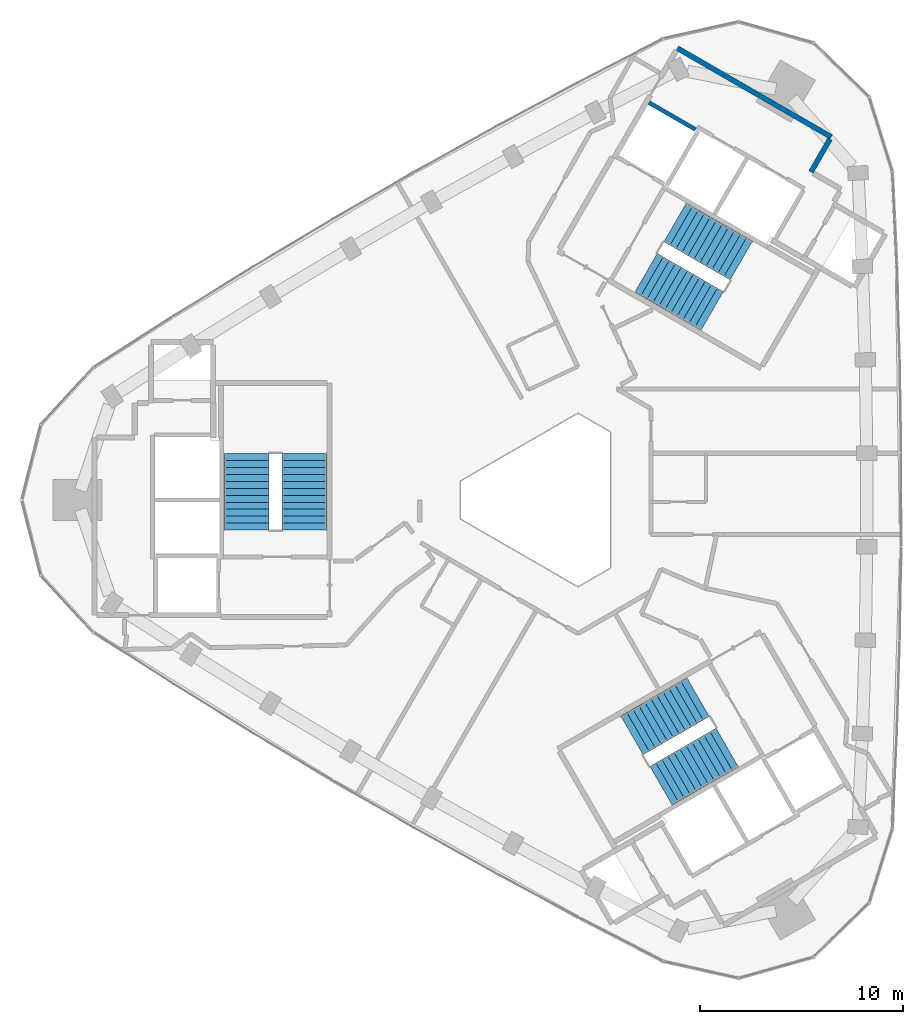
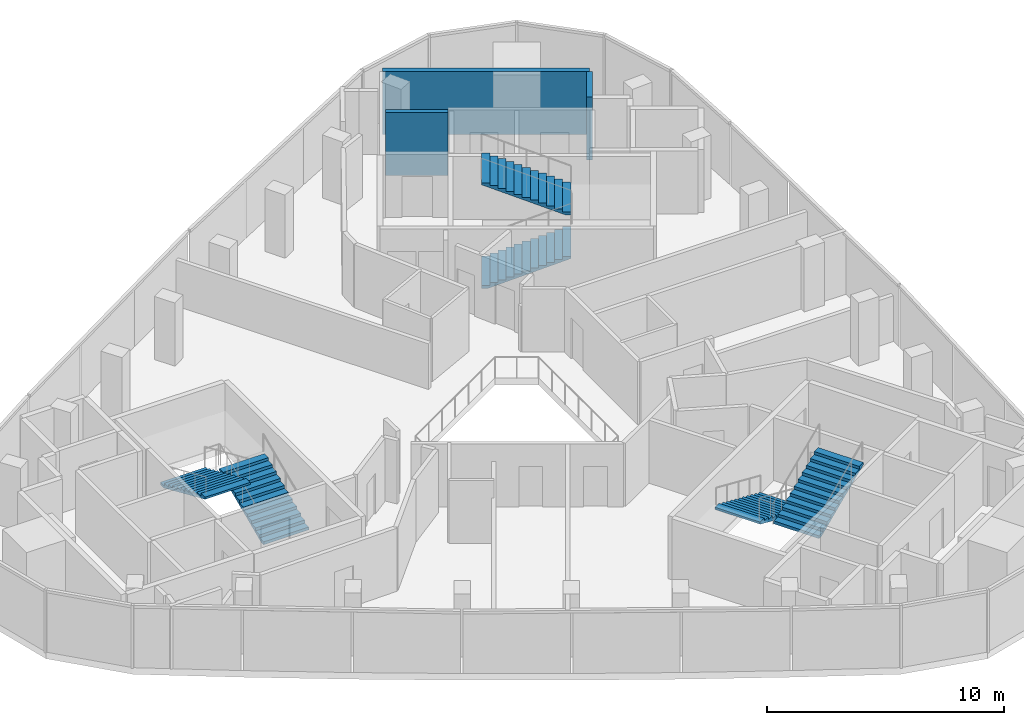
# One storey, part 9 of 10: 6 stair flights, 3 walls, 3 elements without a shape of their own.
"""IFC4 building model written with IfcOpenShell, lengths in metres."""

from ifc_helpers import new_model, si_unit, direction, frame, frame_2d, origin, place, context, subcontext, project, spatial, polyline, rectangle, outline, extrude, material, layer, layer_set, type_object, element, aggregate, save


model = new_model("IFC4")

# Units and contexts
model_context = context("Model", 3, precision=1e-05, world=origin(), true_north=direction((0.0, 1.0)))
body_context = subcontext(model_context, "Body", "Model", "MODEL_VIEW")
ifc_project = project(units=[si_unit("LENGTHUNIT", "METRE"), si_unit("AREAUNIT", "SQUARE_METRE"), si_unit("VOLUMEUNIT", "CUBIC_METRE"), si_unit("PLANEANGLEUNIT", "RADIAN"), si_unit("MASSUNIT", "GRAM", prefix="KILO")], contexts=[model_context])

# Site, building, storey
site_placement = place(None, origin())
site = spatial("IfcSite", under=ifc_project, at=site_placement, CompositionType="ELEMENT")
building_placement = place(site_placement, origin())
building = spatial("IfcBuilding", under=site, at=building_placement, Name="Tamra Quay Hotel Tower", CompositionType="ELEMENT")
storey_placement = place(building_placement, frame((0.0, 0.0, 265.800048828125)))
storey = spatial("IfcBuildingStorey", under=building, at=storey_placement, Name="L67", CompositionType="ELEMENT", Elevation=265.800048828125)

# Walls
ifc_material_1 = material(Name="Concrete M70", Category="concrete")
ifc_layer_1 = layer(ifc_material_1, 0.199951171875)
ifc_layer_set_1 = layer_set([ifc_layer_1], Name="Concrete M70 core wall 200")
wall_type_1 = type_object("IfcWallType", Name="Concrete M70 core wall 200", PredefinedType="SHEAR", material=ifc_layer_set_1)
wall_1_placement = place(storey_placement, frame((7.1962890625, 18.260498046875, 0.0), z_axis=(0.0, 0.0, 1.0), x_axis=(-0.866018407898, 0.500012117035, 0.0)))
element("IfcWall", 1, at=wall_1_placement, inside=storey, type_object=wall_type_1, Name="CW2", PredefinedType="SHEAR", context=body_context, shape_type="SweptSolid", body=[
    extrude(rectangle(XDim=2.65087890625, YDim=0.199951171875, at=frame_2d((1.325439453125, 0.0))), origin(), (0.0, 0.0, 1.0), 3.25),
])
ifc_layer_2 = layer(ifc_material_1, 0.25)
ifc_layer_set_2 = layer_set([ifc_layer_2], Name="Concrete M70 core wall 250")
wall_type_2 = type_object("IfcWallType", Name="Concrete M70 core wall 250", PredefinedType="SHEAR", material=ifc_layer_set_2)
wall_2_placement = place(storey_placement, frame((6.303955078125, 22.268798828125, 0.0), z_axis=(0.0, 0.0, 1.0), x_axis=(0.866022959057, -0.500004234368, 0.0)))
element("IfcWall", 2, at=wall_2_placement, inside=storey, type_object=wall_type_2, Name="CW1", PredefinedType="SHEAR", context=body_context, shape_type="SweptSolid", body=[
    extrude(rectangle(XDim=8.75, YDim=0.25, at=frame_2d((4.375, 0.0))), origin(), (0.0, 0.0, 1.0), 3.25),
])
wall_3_placement = place(storey_placement, frame((13.819091796875, 17.78515625, 0.0), z_axis=(0.0, 0.0, 1.0), x_axis=(-0.500039802285, -0.866002422705, 0.0)))
element("IfcWall", 3, at=wall_3_placement, inside=storey, type_object=wall_type_2, Name="CW1", PredefinedType="SHEAR", context=body_context, shape_type="SweptSolid", body=[
    extrude(rectangle(XDim=1.864501953125, YDim=0.25, at=frame_2d((0.93212890625, 0.0))), origin(), (0.0, 0.0, 1.0), 3.25),
])

# Stair, stair flights
ifc_material_2 = material(Name="Exit stair 2200 24 risers 150.0 going 342")
stair_type = type_object("IfcStairType", Name="Exit stair 2200 24 risers 150.0 going 342", PredefinedType="HALF_TURN_STAIR", material=ifc_material_2)
stair_1_placement = place(storey_placement, origin())
stair_1 = element("IfcStair", 4, at=stair_1_placement, inside=storey, type_object=stair_type, Name="L67 Exit stair ST3", PredefinedType="HALF_TURN_STAIR")
ifc_material_3 = material(Name="Exit stair flight 2200 12 risers 150.0")
stair_flight_type = type_object("IfcStairFlightType", Name="Exit stair flight 2200 12 risers 150.0", PredefinedType="STRAIGHT", material=ifc_material_3)
stair_flight_1_placement = place(storey_placement, frame((-12.082275390625, -1.47998046875, 0.0), z_axis=(0.0, 0.0, 1.0), x_axis=(0.0, 1.0, 0.0)))
stair_flight_1 = element("IfcStairFlight", 5, at=stair_flight_1_placement, type_object=stair_flight_type, Name="ST3 flight 1", NumberOfRisers=12, NumberOfTreads=11, PredefinedType="STRAIGHT", RiserHeight=0.15, TreadLength=0.342, context=body_context, shape_type="SweptSolid", body=[
    extrude(outline(polyline([(0.0, 0.0), (0.0, 0.14990234375), (0.342041015625, 0.14990234375), (0.342041015625, 0.300048828125), (0.68408203125, 0.300048828125), (0.68408203125, 0.449951171875), (1.02587890625, 0.449951171875), (1.02587890625, 0.60009765625), (1.367919921875, 0.60009765625), (1.367919921875, 0.75), (1.7099609375, 0.75), (1.7099609375, 0.89990234375), (2.052001953125, 0.89990234375), (2.052001953125, 1.050048828125), (2.39404296875, 1.050048828125), (2.39404296875, 1.199951171875), (2.736083984375, 1.199951171875), (2.736083984375, 1.35009765625), (3.077880859375, 1.35009765625), (3.077880859375, 1.5), (3.419921875, 1.5), (3.419921875, 1.64990234375), (3.761962890625, 1.64990234375), (3.761962890625, 1.800048828125), (3.761962890625, 1.540771484375), (0.249267578125, 0.0), (0.0, 0.0)])), frame((0.0, 1.10009765625, 0.0), z_axis=(0.0, -1.0, 0.0), x_axis=(1.0, 0.0, 0.0)), (0.0, 0.0, 1.0), 2.199951171875),
])
stair_flight_2_placement = place(storey_placement, frame((-14.94140625, 2.281982421875, 1.800048828125), z_axis=(0.0, 0.0, 1.0), x_axis=(0.0, -1.0, 0.0)))
stair_flight_2 = element("IfcStairFlight", 6, at=stair_flight_2_placement, type_object=stair_flight_type, Name="ST3 flight 2", NumberOfRisers=12, NumberOfTreads=11, PredefinedType="STRAIGHT", RiserHeight=0.15, TreadLength=0.342, context=body_context, shape_type="SweptSolid", body=[
    extrude(outline(polyline([(0.0, 0.0), (0.0, 0.14990234375), (0.342041015625, 0.14990234375), (0.342041015625, 0.300048828125), (0.68408203125, 0.300048828125), (0.68408203125, 0.449951171875), (1.02587890625, 0.449951171875), (1.02587890625, 0.60009765625), (1.367919921875, 0.60009765625), (1.367919921875, 0.75), (1.7099609375, 0.75), (1.7099609375, 0.89990234375), (2.052001953125, 0.89990234375), (2.052001953125, 1.050048828125), (2.39404296875, 1.050048828125), (2.39404296875, 1.199951171875), (2.736083984375, 1.199951171875), (2.736083984375, 1.35009765625), (3.077880859375, 1.35009765625), (3.077880859375, 1.5), (3.419921875, 1.5), (3.419921875, 1.64990234375), (3.761962890625, 1.64990234375), (3.761962890625, 1.800048828125), (3.761962890625, 1.540771484375), (0.249267578125, 0.0), (0.0, 0.0)])), frame((0.0, 1.10009765625, 0.0), z_axis=(0.0, -1.0, 0.0), x_axis=(1.0, 0.0, 0.0)), (0.0, 0.0, 1.0), 2.199951171875),
])
aggregate(stair_1, [stair_flight_1, stair_flight_2])

stair_2_placement = place(storey_placement, origin())
stair_2 = element("IfcStair", 7, at=stair_2_placement, inside=storey, type_object=stair_type, Name="L67 Exit stair ST1", PredefinedType="HALF_TURN_STAIR")
stair_flight_3_placement = place(storey_placement, frame((4.75927734375, 11.20361328125, 0.0), z_axis=(0.0, 0.0, 1.0), x_axis=(0.866025403784, -0.5, 0.0)))
stair_flight_3 = element("IfcStairFlight", 8, at=stair_flight_3_placement, type_object=stair_flight_type, Name="ST1 flight 1", NumberOfRisers=12, NumberOfTreads=11, PredefinedType="STRAIGHT", RiserHeight=0.15, TreadLength=0.342, context=body_context, shape_type="SweptSolid", body=[
    extrude(outline(polyline([(0.0, 0.0), (0.0, 0.14990234375), (0.342041015625, 0.14990234375), (0.342041015625, 0.300048828125), (0.68408203125, 0.300048828125), (0.68408203125, 0.449951171875), (1.02587890625, 0.449951171875), (1.02587890625, 0.60009765625), (1.367919921875, 0.60009765625), (1.367919921875, 0.75), (1.7099609375, 0.75), (1.7099609375, 0.89990234375), (2.052001953125, 0.89990234375), (2.052001953125, 1.050048828125), (2.39404296875, 1.050048828125), (2.39404296875, 1.199951171875), (2.736083984375, 1.199951171875), (2.736083984375, 1.35009765625), (3.077880859375, 1.35009765625), (3.077880859375, 1.5), (3.419921875, 1.5), (3.419921875, 1.64990234375), (3.761962890625, 1.64990234375), (3.761962890625, 1.800048828125), (3.761962890625, 1.540771484375), (0.249267578125, 0.0), (0.0, 0.0)])), frame((0.0, 1.10009765625, 0.0), z_axis=(0.0, -1.0, 0.0), x_axis=(1.0, 0.0, 0.0)), (0.0, 0.0, 1.0), 2.199951171875),
])
stair_flight_4_placement = place(storey_placement, frame((9.44677734375, 11.798583984375, 1.800048828125), z_axis=(0.0, 0.0, 1.0), x_axis=(-0.866025403784, 0.5, 0.0)))
stair_flight_4 = element("IfcStairFlight", 9, at=stair_flight_4_placement, type_object=stair_flight_type, Name="ST1 flight 2", NumberOfRisers=12, NumberOfTreads=11, PredefinedType="STRAIGHT", RiserHeight=0.15, TreadLength=0.342, context=body_context, shape_type="SweptSolid", body=[
    extrude(outline(polyline([(0.0, 0.0), (0.0, 0.14990234375), (0.342041015625, 0.14990234375), (0.342041015625, 0.300048828125), (0.68408203125, 0.300048828125), (0.68408203125, 0.449951171875), (1.02587890625, 0.449951171875), (1.02587890625, 0.60009765625), (1.367919921875, 0.60009765625), (1.367919921875, 0.75), (1.7099609375, 0.75), (1.7099609375, 0.89990234375), (2.052001953125, 0.89990234375), (2.052001953125, 1.050048828125), (2.39404296875, 1.050048828125), (2.39404296875, 1.199951171875), (2.736083984375, 1.199951171875), (2.736083984375, 1.35009765625), (3.077880859375, 1.35009765625), (3.077880859375, 1.5), (3.419921875, 1.5), (3.419921875, 1.64990234375), (3.761962890625, 1.64990234375), (3.761962890625, 1.800048828125), (3.761962890625, 1.540771484375), (0.249267578125, 0.0), (0.0, 0.0)])), frame((0.0, 1.10009765625, 0.0), z_axis=(0.0, -1.0, 0.0), x_axis=(1.0, 0.0, 0.0)), (0.0, 0.0, 1.0), 2.199951171875),
])
aggregate(stair_2, [stair_flight_3, stair_flight_4])

stair_3_placement = place(storey_placement, origin())
stair_3 = element("IfcStair", 10, at=stair_3_placement, inside=storey, type_object=stair_type, Name="L67 Exit stair ST2", PredefinedType="HALF_TURN_STAIR")
stair_flight_5_placement = place(storey_placement, frame((7.322998046875, -9.7236328125, 0.0), z_axis=(0.0, 0.0, 1.0), x_axis=(-0.866025403784, -0.5, 0.0)))
stair_flight_5 = element("IfcStairFlight", 11, at=stair_flight_5_placement, type_object=stair_flight_type, Name="ST2 flight 1", NumberOfRisers=12, NumberOfTreads=11, PredefinedType="STRAIGHT", RiserHeight=0.15, TreadLength=0.342, context=body_context, shape_type="SweptSolid", body=[
    extrude(outline(polyline([(0.0, 0.0), (0.0, 0.14990234375), (0.342041015625, 0.14990234375), (0.342041015625, 0.300048828125), (0.68408203125, 0.300048828125), (0.68408203125, 0.449951171875), (1.02587890625, 0.449951171875), (1.02587890625, 0.60009765625), (1.367919921875, 0.60009765625), (1.367919921875, 0.75), (1.7099609375, 0.75), (1.7099609375, 0.89990234375), (2.052001953125, 0.89990234375), (2.052001953125, 1.050048828125), (2.39404296875, 1.050048828125), (2.39404296875, 1.199951171875), (2.736083984375, 1.199951171875), (2.736083984375, 1.35009765625), (3.077880859375, 1.35009765625), (3.077880859375, 1.5), (3.419921875, 1.5), (3.419921875, 1.64990234375), (3.761962890625, 1.64990234375), (3.761962890625, 1.800048828125), (3.761962890625, 1.540771484375), (0.249267578125, 0.0), (0.0, 0.0)])), frame((0.0, 1.10009765625, 0.0), z_axis=(0.0, -1.0, 0.0), x_axis=(1.0, 0.0, 0.0)), (0.0, 0.0, 1.0), 2.199951171875),
])
stair_flight_6_placement = place(storey_placement, frame((5.494384765625, -14.08056640625, 1.800048828125), z_axis=(0.0, 0.0, 1.0), x_axis=(0.866025403784, 0.5, 0.0)))
stair_flight_6 = element("IfcStairFlight", 12, at=stair_flight_6_placement, type_object=stair_flight_type, Name="ST2 flight 2", NumberOfRisers=12, NumberOfTreads=11, PredefinedType="STRAIGHT", RiserHeight=0.15, TreadLength=0.342, context=body_context, shape_type="SweptSolid", body=[
    extrude(outline(polyline([(0.0, 0.0), (0.0, 0.14990234375), (0.342041015625, 0.14990234375), (0.342041015625, 0.300048828125), (0.68408203125, 0.300048828125), (0.68408203125, 0.449951171875), (1.02587890625, 0.449951171875), (1.02587890625, 0.60009765625), (1.367919921875, 0.60009765625), (1.367919921875, 0.75), (1.7099609375, 0.75), (1.7099609375, 0.89990234375), (2.052001953125, 0.89990234375), (2.052001953125, 1.050048828125), (2.39404296875, 1.050048828125), (2.39404296875, 1.199951171875), (2.736083984375, 1.199951171875), (2.736083984375, 1.35009765625), (3.077880859375, 1.35009765625), (3.077880859375, 1.5), (3.419921875, 1.5), (3.419921875, 1.64990234375), (3.761962890625, 1.64990234375), (3.761962890625, 1.800048828125), (3.761962890625, 1.540771484375), (0.249267578125, 0.0), (0.0, 0.0)])), frame((0.0, 1.10009765625, 0.0), z_axis=(0.0, -1.0, 0.0), x_axis=(1.0, 0.0, 0.0)), (0.0, 0.0, 1.0), 2.199951171875),
])
aggregate(stair_3, [stair_flight_5, stair_flight_6])

save(model, "model.ifc")
